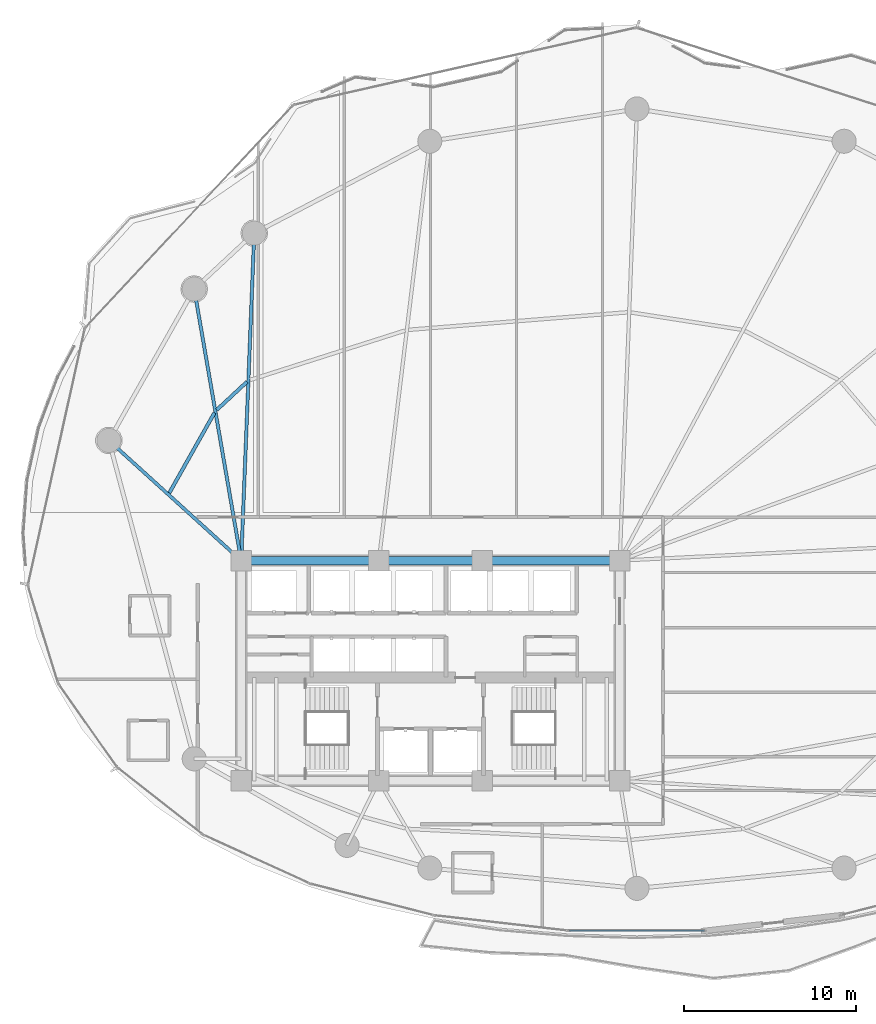
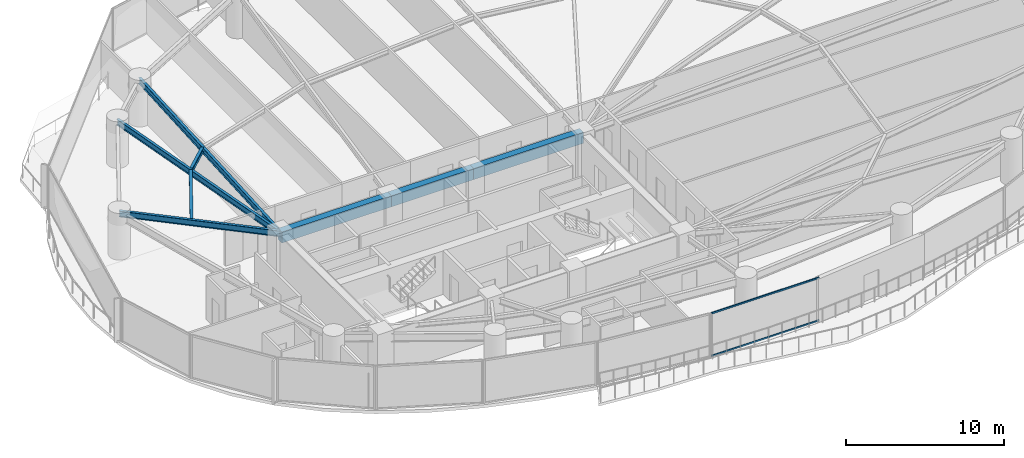
# One storey, part 9 of 34: 8 beams, 2 members, 1 element without a shape of its own.
"""IFC4 building model written with IfcOpenShell, lengths in metres."""

from ifc_helpers import new_model, si_unit, direction, frame, origin, origin_2d, place, context, subcontext, project, spatial, rectangle, hollow_rectangle, i_section, extrude, material, layer, layer_set, material_profile, profile_set, type_object, element, aggregate, save


model = new_model("IFC4")

# Units and contexts
model_context = context("Model", 3, precision=1e-05, world=origin(), true_north=direction((0.0, 1.0)))
body_context = subcontext(model_context, "Body", "Model", "MODEL_VIEW")
ifc_project = project(units=[si_unit("LENGTHUNIT", "METRE"), si_unit("AREAUNIT", "SQUARE_METRE"), si_unit("VOLUMEUNIT", "CUBIC_METRE"), si_unit("PLANEANGLEUNIT", "RADIAN"), si_unit("MASSUNIT", "GRAM", prefix="KILO")], contexts=[model_context])

# Site, building, storey
site_placement = place(None, origin())
site = spatial("IfcSite", under=ifc_project, at=site_placement, CompositionType="ELEMENT")
building_placement = place(site_placement, origin())
building = spatial("IfcBuilding", under=site, at=building_placement, Name="Kazevale Care Tower and Concert Hall", CompositionType="ELEMENT")
storey_placement = place(building_placement, frame((0.0, 0.0, 67.199951171875)))
storey = spatial("IfcBuildingStorey", under=building, at=storey_placement, Name="L17", CompositionType="ELEMENT", Elevation=67.199951171875)

# Curtain wall, members
ifc_material_1 = material(Name="Aluminium 6063-T6 and Low-E Glass", Category="aluminium")
ifc_layer = layer(ifc_material_1, 0.179931640625)
ifc_layer_set = layer_set([ifc_layer], Name="Aluminium 6063-T6 and Low-E Glass")
curtain_wall_type = type_object("IfcCurtainWallType", Name="Sheltered Concave Balcony Curtain Wall CW-5", PredefinedType="NOTDEFINED", material=ifc_layer_set)
curtain_wall_placement = place(storey_placement, origin())
curtain_wall = element("IfcCurtainWall", 1, at=curtain_wall_placement, inside=storey, type_object=curtain_wall_type, Name="cw:L17:f06", PredefinedType="NOTDEFINED")
ifc_material_2 = material(Name="Aluminium 6063-T6", Category="aluminium")
ifc_material_profile_1 = material_profile(ifc_material_2, hollow_rectangle(XDim=0.074951171875, YDim=0.1201171875, WallThickness=0.00390625, at=origin_2d()), Name="ALU75x120x4")
ifc_profile_set_1 = profile_set([ifc_material_profile_1], Name="Aluminium 6063-T6")
member_type = type_object("IfcMemberType", Name="CW-5 Transom ALU75x120x4", PredefinedType="USERDEFINED", material=ifc_profile_set_1)
member_1_placement = place(storey_placement, frame((48.923095703125, 14.889892578125, 0.03759765625), z_axis=(-1.0, 0.0, 0.0), x_axis=(0.0, -1.0, 0.0)))
member_1 = element("IfcMember", 2, at=member_1_placement, type_object=member_type, Name="CW-5 transom 1.1", ObjectType="TRANSOM", PredefinedType="USERDEFINED", context=body_context, shape_type="SweptSolid", body=[
    extrude(hollow_rectangle(XDim=0.074951171875, YDim=0.1201171875, WallThickness=0.00390625, at=origin_2d()), origin(), (0.0, 0.0, 1.0), 7.84619140625),
])
member_2_placement = place(storey_placement, frame((48.923095703125, 14.889892578125, 3.322509765625), z_axis=(-1.0, 0.0, 0.0), x_axis=(0.0, -1.0, 0.0)))
member_2 = element("IfcMember", 3, at=member_2_placement, type_object=member_type, Name="CW-5 transom 1.2", ObjectType="TRANSOM", PredefinedType="USERDEFINED", context=body_context, shape_type="SweptSolid", body=[
    extrude(hollow_rectangle(XDim=0.074951171875, YDim=0.1201171875, WallThickness=0.00390625, at=origin_2d()), origin(), (0.0, 0.0, 1.0), 7.84619140625),
])
aggregate(curtain_wall, [member_1, member_2])

# Beams
ifc_material_3 = material(Name="Concrete C60", Category="concrete")
ifc_material_profile_2 = material_profile(ifc_material_3, rectangle(XDim=0.5, YDim=0.85009765625, at=origin_2d()), Name="RC-B500x850")
ifc_profile_set_2 = profile_set([ifc_material_profile_2], Name="Concrete C60")
beam_type_1 = type_object("IfcBeamType", Name="Core Coupling Beam RC500x850", PredefinedType="LINTEL", material=ifc_profile_set_2)
beam_1_placement = place(storey_placement, frame((44.0, 36.39990234375, 2.93505859375), z_axis=(-1.0, 0.0, 0.0), x_axis=(0.0, -1.0, 0.0)))
element("IfcBeam", 4, at=beam_1_placement, inside=storey, type_object=beam_type_1, Name="beam:L17:coretie:5", PredefinedType="LINTEL", context=body_context, shape_type="SweptSolid", body=[
    extrude(rectangle(XDim=0.5, YDim=0.85009765625, at=origin_2d()), origin(), (0.0, 0.0, 1.0), 8.0),
])
beam_2_placement = place(storey_placement, frame((36.0, 36.39990234375, 2.93505859375), z_axis=(-1.0, 0.0, 0.0), x_axis=(0.0, -1.0, 0.0)))
element("IfcBeam", 5, at=beam_2_placement, inside=storey, type_object=beam_type_1, Name="beam:L17:coretie:6", PredefinedType="LINTEL", context=body_context, shape_type="SweptSolid", body=[
    extrude(rectangle(XDim=0.5, YDim=0.85009765625, at=origin_2d()), origin(), (0.0, 0.0, 1.0), 6.0),
])
beam_3_placement = place(storey_placement, frame((30.0, 36.39990234375, 2.93505859375), z_axis=(-1.0, 0.0, 0.0), x_axis=(0.0, -1.0, 0.0)))
element("IfcBeam", 6, at=beam_3_placement, inside=storey, type_object=beam_type_1, Name="beam:L17:coretie:7", PredefinedType="LINTEL", context=body_context, shape_type="SweptSolid", body=[
    extrude(rectangle(XDim=0.5, YDim=0.85009765625, at=origin_2d()), origin(), (0.0, 0.0, 1.0), 8.0),
])
ifc_material_4 = material(Name="Steel ASTM A572 Gr 50", Category="steel")
ifc_material_profile_3 = material_profile(ifc_material_4, i_section(OverallWidth=0.19091796875, OverallDepth=0.4599609375, WebThickness=0.010009765625, FlangeThickness=0.01611328125, at=origin_2d()), Name="W460x82")
ifc_profile_set_3 = profile_set([ifc_material_profile_3], Name="Steel ASTM A572 Gr 50")
beam_type_2 = type_object("IfcBeamType", Name="Radial Floor Beam W460x82", PredefinedType="BEAM", material=ifc_profile_set_3)
beam_4_placement = place(storey_placement, frame((22.0, 36.39990234375, 3.130126953125), z_axis=(0.039905581428, 0.999203455044, 0.0), x_axis=(-0.999203455044, 0.039905581428, 0.0)))
element("IfcBeam", 7, at=beam_4_placement, inside=storey, type_object=beam_type_2, Name="beam:L17:rad:07", PredefinedType="BEAM", context=body_context, shape_type="SweptSolid", body=[
    extrude(i_section(OverallWidth=0.19091796875, OverallDepth=0.4599609375, WebThickness=0.010009765625, FlangeThickness=0.01611328125, at=origin_2d()), origin(), (0.0, 0.0, 1.0), 19.045166015625),
])
beam_5_placement = place(storey_placement, frame((22.0, 36.39990234375, 3.130126953125), z_axis=(-0.170469986865, 0.985362868987, 0.0), x_axis=(-0.985362868987, -0.170469986865, 0.0)))
element("IfcBeam", 8, at=beam_5_placement, inside=storey, type_object=beam_type_2, Name="beam:L17:rad:08", PredefinedType="BEAM", context=body_context, shape_type="SweptSolid", body=[
    extrude(i_section(OverallWidth=0.19091796875, OverallDepth=0.4599609375, WebThickness=0.010009765625, FlangeThickness=0.01611328125, at=origin_2d()), origin(), (0.0, 0.0, 1.0), 16.014404296875),
])
beam_6_placement = place(storey_placement, frame((22.0, 36.39990234375, 3.130126953125), z_axis=(-0.740461073653, 0.672099247436, 0.0), x_axis=(-0.672099247436, -0.740461073653, 0.0)))
element("IfcBeam", 9, at=beam_6_placement, inside=storey, type_object=beam_type_2, Name="beam:L17:rad:09", PredefinedType="BEAM", context=body_context, shape_type="SweptSolid", body=[
    extrude(i_section(OverallWidth=0.19091796875, OverallDepth=0.4599609375, WebThickness=0.010009765625, FlangeThickness=0.01611328125, at=origin_2d()), origin(), (0.0, 0.0, 1.0), 10.38525390625),
])
ifc_material_profile_4 = material_profile(ifc_material_4, i_section(OverallWidth=0.205078125, OverallDepth=0.35400390625, WebThickness=0.009521484375, FlangeThickness=0.016845703125, at=origin_2d()), Name="W360x79")
ifc_profile_set_4 = profile_set([ifc_material_profile_4], Name="Steel ASTM A572 Gr 50")
beam_type_3 = type_object("IfcBeamType", Name="Secondary Floor Joist W360x79", PredefinedType="JOIST", material=ifc_profile_set_4)
beam_7_placement = place(storey_placement, frame((22.341064453125, 46.794921875, 3.18310546875), z_axis=(-0.73194965424, -0.68135871878, 0.0), x_axis=(0.68135871878, -0.73194965424, 0.0)))
element("IfcBeam", 10, at=beam_7_placement, inside=storey, type_object=beam_type_3, Name="beam:L17:joist:07", PredefinedType="JOIST", context=body_context, shape_type="SweptSolid", body=[
    extrude(i_section(OverallWidth=0.205078125, OverallDepth=0.35400390625, WebThickness=0.009521484375, FlangeThickness=0.016845703125, at=origin_2d()), origin(), (0.0, 0.0, 1.0), 2.412841796875),
])
beam_8_placement = place(storey_placement, frame((20.447021484375, 44.988037109375, 3.18310546875), z_axis=(-0.490956987312, -0.871183813331, 0.0), x_axis=(0.871183813331, -0.490956987312, 0.0)))
element("IfcBeam", 11, at=beam_8_placement, inside=storey, type_object=beam_type_3, Name="beam:L17:joist:08", PredefinedType="JOIST", context=body_context, shape_type="SweptSolid", body=[
    extrude(i_section(OverallWidth=0.205078125, OverallDepth=0.35400390625, WebThickness=0.009521484375, FlangeThickness=0.016845703125, at=origin_2d()), origin(), (0.0, 0.0, 1.0), 5.3466796875),
])

save(model, "model.ifc")
